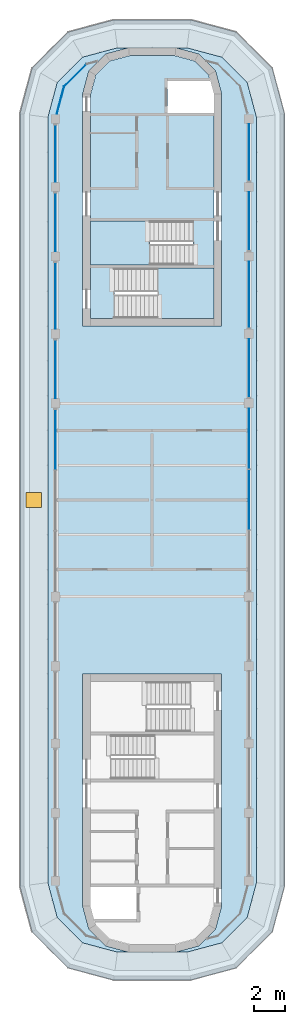
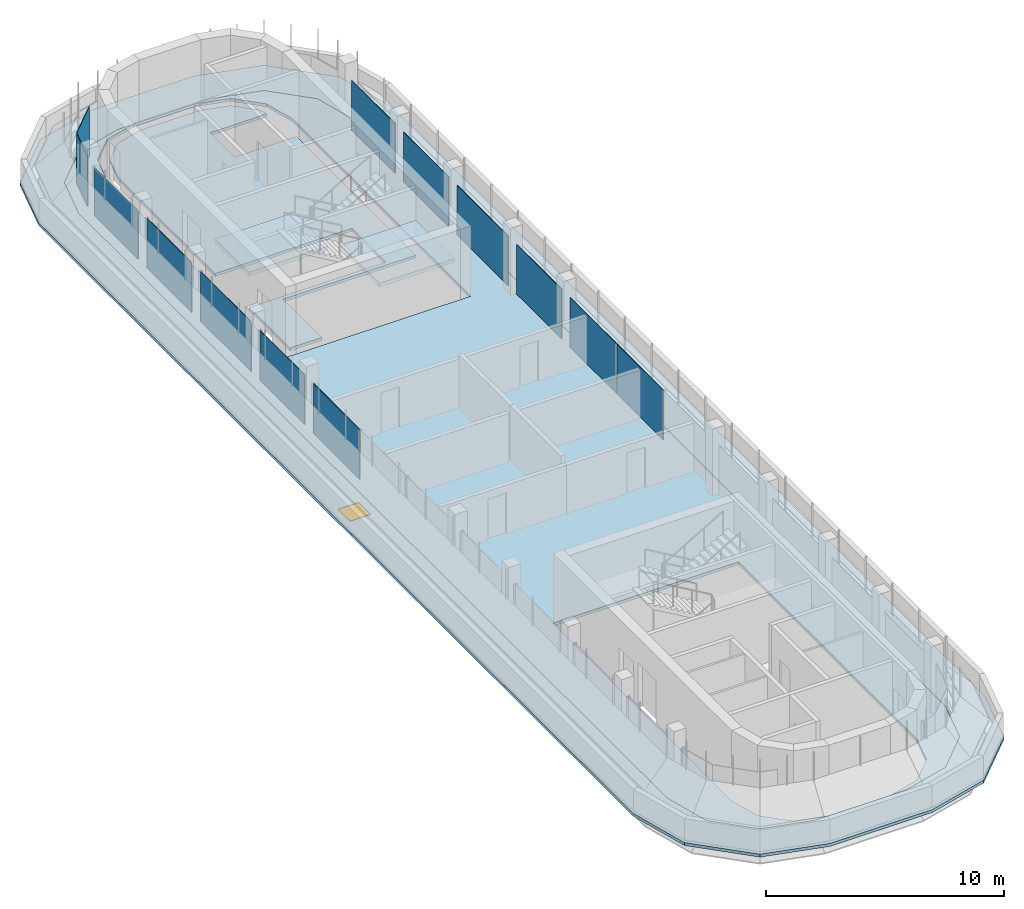
# One storey, part 6 of 12: 13 plates, 5 slabs, 1 window, 1 opening, 6 elements without a shape of their own.
"""IFC4 building model written with IfcOpenShell, lengths in metres."""

from ifc_helpers import new_model, si_unit, direction, frame, origin, origin_2d, place, context, subcontext, project, spatial, polyline, rectangle, outline, extrude, source, transform, mapped, material, layer, layer_set, type_object, element, fill, aggregate, save


model = new_model("IFC4")

# Units and contexts
model_context = context("Model", 3, precision=1e-05, world=origin(), true_north=direction((0.0, 1.0)))
body_context = subcontext(model_context, "Body", "Model", "MODEL_VIEW")
ifc_project = project(units=[si_unit("LENGTHUNIT", "METRE"), si_unit("AREAUNIT", "SQUARE_METRE"), si_unit("VOLUMEUNIT", "CUBIC_METRE"), si_unit("PLANEANGLEUNIT", "RADIAN"), si_unit("MASSUNIT", "GRAM", prefix="KILO")], contexts=[model_context])

# Site, building, storey
site_placement = place(None, origin())
site = spatial("IfcSite", under=ifc_project, at=site_placement, CompositionType="ELEMENT")
building_placement = place(site_placement, origin())
building = spatial("IfcBuilding", under=site, at=building_placement, Name="Zarbagh Exchange Tower", CompositionType="ELEMENT")
storey_placement = place(building_placement, frame((0.0, 0.0, 309.60009765625)))
storey = spatial("IfcBuildingStorey", under=building, at=storey_placement, Name="L76", CompositionType="ELEMENT", Elevation=309.60009765625)

# Slabs
ifc_material_1 = material(Name="Concrete C40/50", Category="concrete")
ifc_layer_1 = layer(ifc_material_1, 0.14990234375)
ifc_layer_set_1 = layer_set([ifc_layer_1], Name="Composite floor slab 150 C40/50")
slab_type_1 = type_object("IfcSlabType", Name="Composite floor slab 150 C40/50", PredefinedType="FLOOR", material=ifc_layer_set_1)
slab_1_placement = place(storey_placement, frame((0.0, 0.0, -0.150146484375)))
element("IfcSlab", 1, at=slab_1_placement, inside=storey, type_object=slab_type_1, Name="S5 composite floor slab", PredefinedType="FLOOR", context=body_context, shape_type="SweptSolid", body=[
    extrude(outline(polyline([(1.5, -29.25), (3.0, -28.84814453125), (4.09814453125, -27.75), (4.5, -26.25), (4.5, -11.25), (-4.5, -11.25), (-4.5, -26.25), (-4.09814453125, -27.75), (-3.0, -28.84814453125), (-1.5, -29.25), (-2.25, -29.25), (-4.5, -28.647216796875), (-6.147216796875, -27.0), (-6.75, -24.75), (-6.75, 24.75), (-6.147216796875, 27.0), (-4.5, 28.647216796875), (-2.25, 29.25), (-1.5, 29.25), (-3.0, 28.84814453125), (-4.09814453125, 27.75), (-4.5, 26.25), (-4.5, 11.25), (4.5, 11.25), (4.5, 26.25), (4.09814453125, 27.75), (3.0, 28.84814453125), (1.5, 29.25), (2.25, 29.25), (4.5, 28.647216796875), (6.147216796875, 27.0), (6.75, 24.75), (6.75, -24.75), (6.147216796875, -27.0), (4.5, -28.647216796875), (2.25, -29.25), (1.5, -29.25)])), origin(), (0.0, 0.0, 1.0), 0.150146484375),
])
ifc_layer_2 = layer(ifc_material_1, 0.14990234375)
ifc_layer_set_2 = layer_set([ifc_layer_2], Name="Core floor slab 150 C40/50")
slab_type_2 = type_object("IfcSlabType", Name="Core floor slab 150 C40/50", PredefinedType="FLOOR", material=ifc_layer_set_2)
slab_2_placement = place(storey_placement, frame((0.0, 0.0, -0.150146484375)))
element("IfcSlab", 2, at=slab_2_placement, inside=storey, type_object=slab_type_2, Name="S17 core N", PredefinedType="FLOOR", context=body_context, shape_type="SweptSolid", body=[
    extrude(outline(polyline([(-4.0, 11.75), (-4.0, 15.199951171875), (2.64990234375, 15.199951171875), (2.64990234375, 18.050048828125), (-4.0, 18.050048828125), (-4.0, 26.18408203125), (-3.64990234375, 27.4912109375), (-2.7412109375, 28.39990234375), (-1.43408203125, 28.75), (1.43408203125, 28.75), (2.7412109375, 28.39990234375), (3.64990234375, 27.4912109375), (3.857666015625, 26.715087890625), (3.754638671875, 27.10009765625), (1.0, 27.10009765625), (1.0, 25.050048828125), (4.0, 25.050048828125), (4.0, 15.0), (-2.449951171875, 15.0), (-2.449951171875, 11.75), (-4.0, 11.75)])), origin(), (0.0, 0.0, 1.0), 0.150146484375),
])

# Slab, opening, window
ifc_layer_3 = layer(ifc_material_1, 0.14990234375)
ifc_layer_set_3 = layer_set([ifc_layer_3], Name="Crown terrace roof slab 150 C40/50")
slab_type_3 = type_object("IfcSlabType", Name="Crown terrace roof slab 150 C40/50", PredefinedType="ROOF", material=ifc_layer_set_3)
slab_3_placement = place(storey_placement, frame((0.0, 0.0, -0.150146484375)))
slab_3 = element("IfcSlab", 3, at=slab_3_placement, inside=storey, type_object=slab_type_3, Name="S11 crown terrace roof slab", PredefinedType="ROOF", context=body_context, shape_type="SweptSolid", body=[
    extrude(outline(polyline([(-2.487060546875, -31.050048828125), (-5.431640625, -30.260986328125), (-7.760986328125, -27.931640625), (-8.550048828125, -24.987060546875), (-8.550048828125, 24.987060546875), (-7.760986328125, 27.931640625), (-5.431640625, 30.260986328125), (-2.487060546875, 31.050048828125), (2.487060546875, 31.050048828125), (5.431640625, 30.260986328125), (7.760986328125, 27.931640625), (8.550048828125, 24.987060546875), (8.550048828125, -24.987060546875), (7.760986328125, -27.931640625), (5.431640625, -30.260986328125), (2.487060546875, -31.050048828125), (-2.487060546875, -31.050048828125)]), holes=[polyline([(4.5, -28.647216796875), (6.147216796875, -27.0), (6.75, -24.75), (6.75, 24.75), (6.147216796875, 27.0), (4.5, 28.647216796875), (2.25, 29.25), (-2.25, 29.25), (-4.5, 28.647216796875), (-6.147216796875, 27.0), (-6.75, 24.75), (-6.75, -24.75), (-6.147216796875, -27.0), (-4.5, -28.647216796875), (-2.25, -29.25), (2.25, -29.25), (4.5, -28.647216796875)])]), origin(), (0.0, 0.0, 1.0), 0.150146484375),
])
opening_placement = place(slab_3_placement, frame((-7.64990234375, 0.0, 0.0)))
opening = element("IfcOpeningElement", 4, at=opening_placement, cuts=slab_3, Name="Opening RH01", PredefinedType="OPENING", context=body_context, shape_type="SweptSolid", body=[
    extrude(rectangle(XDim=1.0, YDim=1.0, at=origin_2d()), frame((0.0, 0.0, -0.010009765625)), (0.0, 0.0, 1.0), 0.170166015625),
])
ifc_material_2 = material(Name="Aluminium", Category="aluminium")
window_type = type_object("IfcWindowType", Name="Roof access hatch, insulated aluminium", PartitioningType="SINGLE_PANEL", PredefinedType="SKYLIGHT", material=ifc_material_2)
window_placement = place(opening_placement, frame((0.0, 0.0, 0.10009765625)))
window = element("IfcWindow", 5, at=window_placement, inside=storey, type_object=window_type, Name="RH01 roof access hatch", OverallHeight=1.0, OverallWidth=1.0, PartitioningType="SINGLE_PANEL", PredefinedType="SKYLIGHT", context=body_context, shape_type="SweptSolid", body=[
    extrude(rectangle(XDim=1.0, YDim=1.0, at=origin_2d()), origin(), (0.0, 0.0, 1.0), 0.050048828125),
])
fill(opening, window)

# Stair, slab
stair_type = type_object("IfcStairType", Name="Exit stair two-flight half-turn", PredefinedType="HALF_TURN_STAIR", material=ifc_material_1)
stair_1_placement = place(storey_placement, origin())
stair_1 = element("IfcStair", 6, at=stair_1_placement, inside=storey, type_object=stair_type, Name="exit stair ST1", PredefinedType="HALF_TURN_STAIR")
ifc_layer_4 = layer(ifc_material_1, 0.199951171875)
ifc_layer_set_4 = layer_set([ifc_layer_4], Name="Stair landing 200 mm")
slab_type_4 = type_object("IfcSlabType", Name="Stair landing 200 mm", PredefinedType="LANDING", material=ifc_layer_set_4)
slab_4_placement = place(storey_placement, frame((0.0, 0.0, 1.599853515625)))
slab_4 = element("IfcSlab", 7, at=slab_4_placement, type_object=slab_type_4, Name="ST1 landing 1", PredefinedType="LANDING", context=body_context, shape_type="SweptSolid", body=[
    extrude(outline(polyline([(-0.14990234375, 18.050048828125), (-4.0, 18.050048828125), (-4.0, 15.199951171875), (-0.14990234375, 15.199951171875), (-0.14990234375, 18.050048828125)])), origin(), (0.0, 0.0, 1.0), 0.199951171875),
])
aggregate(stair_1, [slab_4])

stair_2_placement = place(storey_placement, origin())
stair_2 = element("IfcStair", 8, at=stair_2_placement, inside=storey, type_object=stair_type, Name="exit stair ST2", PredefinedType="HALF_TURN_STAIR")
slab_5_placement = place(storey_placement, frame((0.0, 0.0, 1.599853515625)))
slab_5 = element("IfcSlab", 9, at=slab_5_placement, type_object=slab_type_4, Name="ST2 landing 1", PredefinedType="LANDING", context=body_context, shape_type="SweptSolid", body=[
    extrude(outline(polyline([(0.35009765625, 11.75), (4.0, 11.75), (4.0, 15.0), (0.35009765625, 15.0), (0.35009765625, 11.75)])), origin(), (0.0, 0.0, 1.0), 0.199951171875),
])
aggregate(stair_2, [slab_5])

# Curtain wall, plate
ifc_material_3 = material(Name="Anodised aluminium frame and glazing", Category="aluminium")
curtain_wall_type = type_object("IfcCurtainWallType", Name="CWF Crown tier glazing", PredefinedType="NOTDEFINED", material=ifc_material_3)
curtain_wall_1_placement = place(storey_placement, origin())
curtain_wall_1 = element("IfcCurtainWall", 10, at=curtain_wall_1_placement, inside=storey, type_object=curtain_wall_type, Name="CWF25 curtain wall", PredefinedType="NOTDEFINED")
ifc_material_4 = material(Name="Low-e double glazed unit, 6+12+6 mm")
ifc_layer_5 = layer(ifc_material_4, 0.028076171875)
ifc_layer_set_5 = layer_set([ifc_layer_5], Name="PAF Glazing panel, Low-e double glazed unit, 6+12+6 mm")
plate_type = type_object("IfcPlateType", Name="PAF Glazing panel, Low-e double glazed unit, 6+12+6 mm", PredefinedType="CURTAIN_PANEL", material=ifc_layer_set_5)
shared_shape_1 = source(origin(), body_context, "Body", "SweptSolid", [
    extrude(outline(polyline([(0.0, -0.013916015625), (2.061279296875, -0.013916015625), (2.061279296875, 0.013916015625), (0.0, 0.013916015625), (0.0, -0.013916015625)])), origin(), (0.0, 0.0, 1.0), 2.550048828125),
])
placement = place(storey_placement, origin())
plate_1 = element("IfcPlate", 11, at=placement, type_object=plate_type, Name="CWF25 glazing panel 1.1", PredefinedType="CURTAIN_PANEL", context=body_context, shape_type="MappedRepresentation", body=[
    mapped(shared_shape_1, transform((-4.2412109375, 28.19873046875, 0.0), x_axis=(-0.707106781187, -0.707106781187, 0.0), y_axis=(0.707106781187, -0.707106781187, 0.0), z_axis=(0.0, 0.0, 1.0))),
])
aggregate(curtain_wall_1, [plate_1])

curtain_wall_2_placement = place(storey_placement, origin())
curtain_wall_2 = element("IfcCurtainWall", 12, at=curtain_wall_2_placement, inside=storey, type_object=curtain_wall_type, Name="CWF26 curtain wall", PredefinedType="NOTDEFINED")
shared_shape_2 = source(origin(), body_context, "Body", "SweptSolid", [
    extrude(outline(polyline([(0.0, -0.013916015625), (1.81298828125, -0.013916015625), (1.81298828125, 0.013916015625), (0.0, 0.013916015625), (0.0, -0.013916015625)])), origin(), (0.0, 0.0, 1.0), 2.550048828125),
])
plate_2 = element("IfcPlate", 13, at=placement, type_object=plate_type, Name="CWF26 glazing panel 1.1", PredefinedType="CURTAIN_PANEL", context=body_context, shape_type="MappedRepresentation", body=[
    mapped(shared_shape_2, transform((-5.69873046875, 26.7412109375, 0.0), x_axis=(-0.258824779902, -0.965924289636, 0.0), y_axis=(0.965924289636, -0.258824779902, 0.0), z_axis=(0.0, 0.0, 1.0))),
])
aggregate(curtain_wall_2, [plate_2])

curtain_wall_3_placement = place(storey_placement, origin())
curtain_wall_3 = element("IfcCurtainWall", 14, at=curtain_wall_3_placement, inside=storey, type_object=curtain_wall_type, Name="CWF50 curtain wall", PredefinedType="NOTDEFINED")
shared_shape_3 = source(origin(), body_context, "Body", "SweptSolid", [
    extrude(outline(polyline([(0.0, -0.013916015625), (3.659912109375, -0.013916015625), (3.659912109375, 0.013916015625), (0.0, 0.013916015625), (0.0, -0.013916015625)])), origin(), (0.0, 0.0, 1.0), 2.489990234375),
])
plate_3 = element("IfcPlate", 15, at=placement, type_object=plate_type, Name="CWF50 glazing panel 1.1", PredefinedType="CURTAIN_PANEL", context=body_context, shape_type="MappedRepresentation", body=[
    mapped(shared_shape_3, transform((-6.25, 24.25, 0.0), x_axis=(0.0, -1.0, 0.0), y_axis=(1.0, 0.0, 0.0), z_axis=(0.0, 0.0, 1.0))),
])

# Curtain wall, plates
curtain_wall_4_placement = place(storey_placement, origin())
curtain_wall_4 = element("IfcCurtainWall", 16, at=curtain_wall_4_placement, inside=storey, type_object=curtain_wall_type, Name="CWF49 curtain wall", PredefinedType="NOTDEFINED")
shared_shape_4 = source(origin(), body_context, "Body", "SweptSolid", [
    extrude(outline(polyline([(0.0, -0.013916015625), (3.760009765625, -0.013916015625), (3.760009765625, 0.013916015625), (0.0, 0.013916015625), (0.0, -0.013916015625)])), origin(), (0.0, 0.0, 1.0), 2.550048828125),
])
plate_4 = element("IfcPlate", 17, at=placement, type_object=plate_type, Name="CWF49 glazing panel 6.1", PredefinedType="CURTAIN_PANEL", context=body_context, shape_type="MappedRepresentation", body=[
    mapped(shared_shape_4, transform((6.25, 6.650146484375, 0.0), x_axis=(0.0, 1.0, 0.0), y_axis=(-1.0, 0.0, 0.0), z_axis=(0.0, 0.0, 1.0))),
])
plate_5 = element("IfcPlate", 18, at=placement, type_object=plate_type, Name="CWF49 glazing panel 8.1", PredefinedType="CURTAIN_PANEL", context=body_context, shape_type="MappedRepresentation", body=[
    mapped(shared_shape_4, transform((6.25, 16.150146484375, 0.0), x_axis=(0.0, 1.0, 0.0), y_axis=(-1.0, 0.0, 0.0), z_axis=(0.0, 0.0, 1.0))),
])

# Plate
plate_6 = element("IfcPlate", 19, at=placement, type_object=plate_type, Name="CWF50 glazing panel 2.1", PredefinedType="CURTAIN_PANEL", context=body_context, shape_type="MappedRepresentation", body=[
    mapped(shared_shape_4, transform((-6.25, 19.849853515625, 0.0), x_axis=(0.0, -1.0, 0.0), y_axis=(1.0, 0.0, 0.0), z_axis=(0.0, 0.0, 1.0))),
])

plate_7 = element("IfcPlate", 20, at=placement, type_object=plate_type, Name="CWF50 glazing panel 4.1", PredefinedType="CURTAIN_PANEL", context=body_context, shape_type="MappedRepresentation", body=[
    mapped(shared_shape_4, transform((-6.25, 10.349853515625, 0.0), x_axis=(0.0, -1.0, 0.0), y_axis=(1.0, 0.0, 0.0), z_axis=(0.0, 0.0, 1.0))),
])

shared_shape_5 = source(origin(), body_context, "Body", "SweptSolid", [
    extrude(outline(polyline([(0.0, -0.013916015625), (4.260009765625, -0.013916015625), (4.260009765625, 0.013916015625), (0.0, 0.013916015625), (0.0, -0.013916015625)])), origin(), (0.0, 0.0, 1.0), 2.550048828125),
])
plate_8 = element("IfcPlate", 21, at=placement, type_object=plate_type, Name="CWF49 glazing panel 7.1", PredefinedType="CURTAIN_PANEL", context=body_context, shape_type="MappedRepresentation", body=[
    mapped(shared_shape_5, transform((6.25, 11.150146484375, 0.0), x_axis=(0.0, 1.0, 0.0), y_axis=(-1.0, 0.0, 0.0), z_axis=(0.0, 0.0, 1.0))),
])

plate_9 = element("IfcPlate", 22, at=placement, type_object=plate_type, Name="CWF50 glazing panel 3.1", PredefinedType="CURTAIN_PANEL", context=body_context, shape_type="MappedRepresentation", body=[
    mapped(shared_shape_5, transform((-6.25, 15.349853515625, 0.0), x_axis=(0.0, -1.0, 0.0), y_axis=(1.0, 0.0, 0.0), z_axis=(0.0, 0.0, 1.0))),
])

shared_shape_6 = source(origin(), body_context, "Body", "SweptSolid", [
    extrude(outline(polyline([(0.0, -0.013916015625), (3.659912109375, -0.013916015625), (3.659912109375, 0.013916015625), (0.0, 0.013916015625), (0.0, -0.013916015625)])), origin(), (0.0, 0.0, 1.0), 2.550048828125),
])
plate_10 = element("IfcPlate", 23, at=placement, type_object=plate_type, Name="CWF49 glazing panel 9.1", PredefinedType="CURTAIN_PANEL", context=body_context, shape_type="MappedRepresentation", body=[
    mapped(shared_shape_6, transform((6.25, 20.650146484375, 0.0), x_axis=(0.0, 1.0, 0.0), y_axis=(-1.0, 0.0, 0.0), z_axis=(0.0, 0.0, 1.0))),
])

shared_shape_7 = source(origin(), body_context, "Body", "SweptSolid", [
    extrude(outline(polyline([(0.0, -0.013916015625), (3.8798828125, -0.013916015625), (3.8798828125, 0.013916015625), (0.0, 0.013916015625), (0.0, -0.013916015625)])), origin(), (0.0, 0.0, 1.0), 2.550048828125),
])
plate_11 = element("IfcPlate", 24, at=placement, type_object=plate_type, Name="CWF49 glazing panel 5.2", PredefinedType="CURTAIN_PANEL", context=body_context, shape_type="MappedRepresentation", body=[
    mapped(shared_shape_7, transform((6.25, -1.909912109375, 0.0), x_axis=(0.0, 1.0, 0.0), y_axis=(-1.0, 0.0, 0.0), z_axis=(0.0, 0.0, 1.0))),
])

plate_12 = element("IfcPlate", 25, at=placement, type_object=plate_type, Name="CWF49 glazing panel 5.3", PredefinedType="CURTAIN_PANEL", context=body_context, shape_type="MappedRepresentation", body=[
    mapped(shared_shape_7, transform((6.25, 2.030029296875, 0.0), x_axis=(0.0, 1.0, 0.0), y_axis=(-1.0, 0.0, 0.0), z_axis=(0.0, 0.0, 1.0))),
])

aggregate(curtain_wall_4, [plate_11, plate_12, plate_4, plate_8, plate_5, plate_10])

plate_13 = element("IfcPlate", 26, at=placement, type_object=plate_type, Name="CWF50 glazing panel 5.1", PredefinedType="CURTAIN_PANEL", context=body_context, shape_type="MappedRepresentation", body=[
    mapped(shared_shape_7, transform((-6.25, 5.849853515625, 0.0), x_axis=(0.0, -1.0, 0.0), y_axis=(1.0, 0.0, 0.0), z_axis=(0.0, 0.0, 1.0))),
])

aggregate(curtain_wall_3, [plate_3, plate_6, plate_9, plate_7, plate_13])

save(model, "model.ifc")
